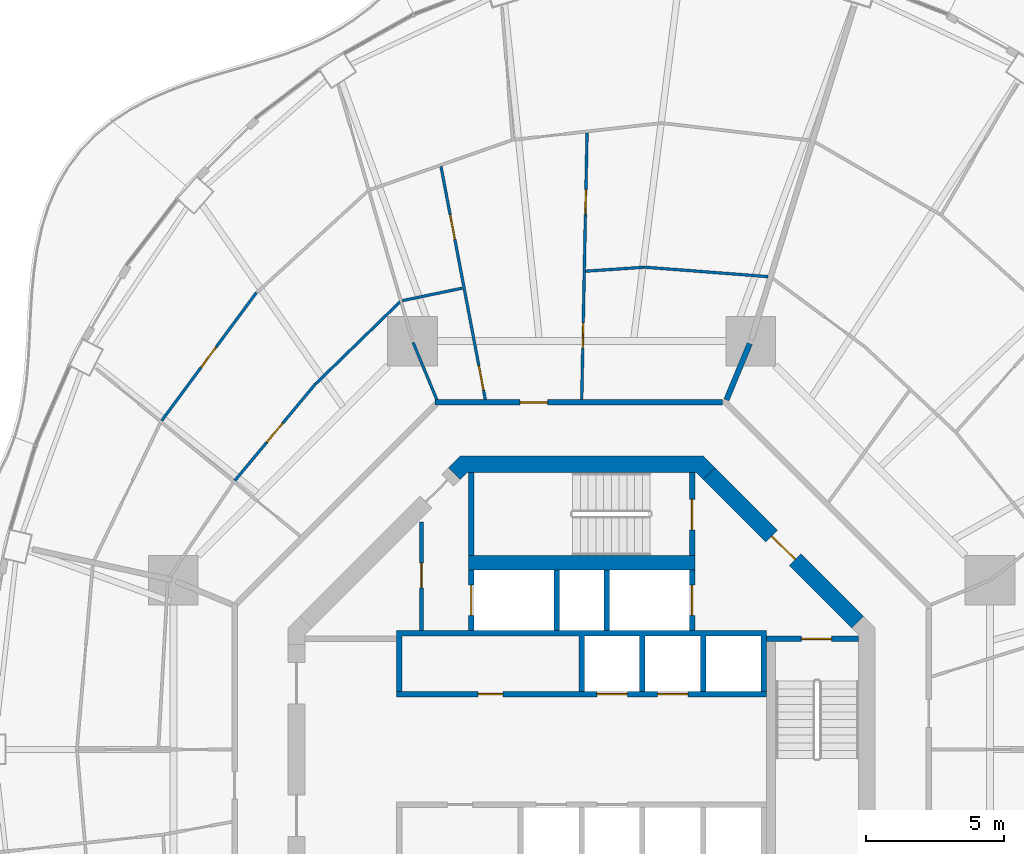
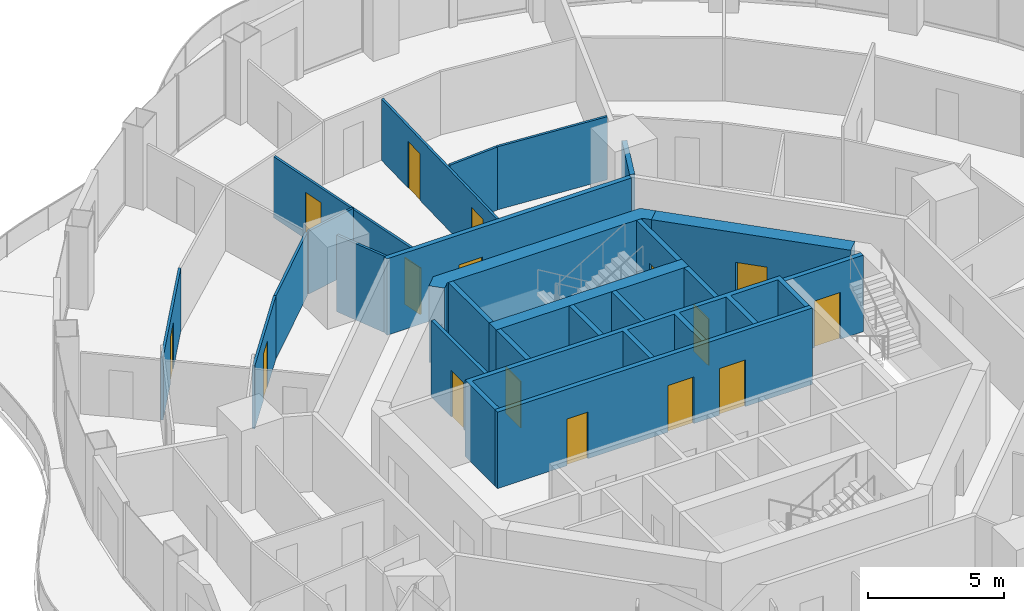
# One storey, part 14 of 19: 24 walls, 16 doors, 16 openings.
"""IFC4 building model written with IfcOpenShell, lengths in metres."""

from ifc_helpers import new_model, si_unit, direction, frame, frame_2d, origin, place, context, subcontext, project, spatial, polyline, rectangle, outline, extrude, material, layer, layer_set, type_object, element, fill, save


model = new_model("IFC4")

# Units and contexts
model_context = context("Model", 3, precision=1e-05, world=origin(), true_north=direction((0.0, 1.0)))
body_context = subcontext(model_context, "Body", "Model", "MODEL_VIEW")
ifc_project = project(units=[si_unit("LENGTHUNIT", "METRE"), si_unit("AREAUNIT", "SQUARE_METRE"), si_unit("VOLUMEUNIT", "CUBIC_METRE"), si_unit("PLANEANGLEUNIT", "RADIAN"), si_unit("MASSUNIT", "GRAM", prefix="KILO")], contexts=[model_context])

# Site, building, storey
site_placement = place(None, origin())
site = spatial("IfcSite", under=ifc_project, at=site_placement, CompositionType="ELEMENT")
building_placement = place(site_placement, origin())
building = spatial("IfcBuilding", under=site, at=building_placement, Name="Nagisa Residences", CompositionType="ELEMENT")
storey_placement = place(building_placement, frame((0.0, 0.0, 169.60009765625)))
storey = spatial("IfcBuildingStorey", under=building, at=storey_placement, Name="L42", CompositionType="ELEMENT", Elevation=169.60009765625)

# Wall
ifc_material_1 = material(Name="Gypsum board on steel studs", Category="steel")
ifc_layer_1 = layer(ifc_material_1, 0.199951171875)
ifc_layer_set_1 = layer_set([ifc_layer_1], Name="Apartment compartment wall EI60 200")
wall_type_1 = type_object("IfcWallType", Name="Apartment compartment wall EI60 200", PredefinedType="PARTITIONING", material=ifc_layer_set_1)
wall_1_placement = place(storey_placement, frame((5.24267578125, 12.6572265625, 0.0), z_axis=(0.0, 0.0, 1.0), x_axis=(0.382747093259, 0.923853160736, 0.0)))
element("IfcWall", 1, at=wall_1_placement, inside=storey, type_object=wall_type_1, Name="wall:L42:u00", PredefinedType="PARTITIONING", context=body_context, shape_type="SweptSolid", body=[
    extrude(rectangle(XDim=2.199951171875, YDim=0.199951171875, at=frame_2d((1.10009765625, 0.0))), origin(), (0.0, 0.0, 1.0), 3.43994140625),
])

# Wall, opening, door
ifc_material_2 = material(Name="Gypsum board on steel studs", Category="steel")
ifc_layer_2 = layer(ifc_material_2, 0.199951171875)
ifc_layer_set_2 = layer_set([ifc_layer_2], Name="Apartment entry wall EI60 200")
wall_type_2 = type_object("IfcWallType", Name="Apartment entry wall EI60 200", PredefinedType="PARTITIONING", material=ifc_layer_set_2)
wall_2_placement = place(storey_placement, frame((5.1044921875, 12.564697265625, 0.0), z_axis=(0.0, 0.0, 1.0), x_axis=(-1.0, 0.0, 0.0)))
wall_2 = element("IfcWall", 2, at=wall_2_placement, inside=storey, type_object=wall_type_2, Name="wall:L42:u10", PredefinedType="PARTITIONING", context=body_context, shape_type="SweptSolid", body=[
    extrude(rectangle(XDim=10.408935546875, YDim=0.199951171875, at=frame_2d((5.20458984375, 0.0))), origin(), (0.0, 0.0, 1.0), 3.43994140625),
])
opening_1_placement = place(wall_2_placement, frame((6.33935546875, 0.0, 0.0)))
opening_1 = element("IfcOpeningElement", 3, at=opening_1_placement, cuts=wall_2, Name="Opening L42-U15", PredefinedType="OPENING", context=body_context, shape_type="SweptSolid", body=[
    extrude(rectangle(XDim=1.0, YDim=2.10009765625, at=frame_2d((0.5, 1.050048828125))), frame((0.0, 0.10986328125, 0.0), z_axis=(0.0, -1.0, 0.0), x_axis=(1.0, 0.0, 0.0)), (0.0, 0.0, 1.0), 0.219970703125),
])
ifc_material_3 = material(Name="Timber fire door set", Category="wood")
door_type_1 = type_object("IfcDoorType", Name="Apartment entry door FD30S 1000x2100", OperationType="NOTDEFINED", PredefinedType="DOOR", material=ifc_material_3)
door_1_placement = place(opening_1_placement, frame((1.0, 0.0, 0.0), x_axis=(-1.0, 0.0, 0.0)))
door_1 = element("IfcDoor", 4, at=door_1_placement, inside=storey, type_object=door_type_1, Name="Entry door, Apartment 42B", OperationType="SINGLE_SWING_RIGHT", OverallHeight=2.10009765625, OverallWidth=1.0, PredefinedType="DOOR", context=body_context, shape_type="SweptSolid", body=[
    extrude(rectangle(XDim=1.0, YDim=2.10009765625, at=frame_2d((0.5, 1.050048828125))), frame((0.0, 0.02490234375, 0.0), z_axis=(0.0, -1.0, 0.0), x_axis=(1.0, 0.0, 0.0)), (0.0, 0.0, 1.0), 0.050048828125),
])
fill(opening_1, door_1)

# Walls
ifc_material_4 = material(Name="Gypsum board on steel studs", Category="steel")
ifc_layer_3 = layer(ifc_material_4, 0.10009765625)
ifc_layer_set_3 = layer_set([ifc_layer_3], Name="Apartment partition 100")
wall_type_3 = type_object("IfcWallType", Name="Apartment partition 100", PredefinedType="PARTITIONING", material=ifc_layer_set_3)
wall_3_placement = place(storey_placement, frame((6.7412109375, 17.1171875, 0.0), z_axis=(0.0, 0.0, 1.0), x_axis=(-0.997078320723, 0.076386008825, 0.0)))
element("IfcWall", 5, at=wall_3_placement, inside=storey, type_object=wall_type_3, Name="wall:L42:u35", PredefinedType="PARTITIONING", context=body_context, shape_type="SweptSolid", body=[
    extrude(rectangle(XDim=4.509765625, YDim=0.10009765625, at=frame_2d((2.2548828125, 0.0))), origin(), (0.0, 0.0, 1.0), 2.8369140625),
])
wall_4_placement = place(storey_placement, frame((2.244384765625, 17.45458984375, 0.0), z_axis=(0.0, 0.0, 1.0), x_axis=(-0.997756833447, -0.06694252243, 0.0)))
element("IfcWall", 6, at=wall_4_placement, inside=storey, type_object=wall_type_3, Name="wall:L42:u37", PredefinedType="PARTITIONING", context=body_context, shape_type="SweptSolid", body=[
    extrude(rectangle(XDim=2.104248046875, YDim=0.10009765625, at=frame_2d((1.05224609375, 0.0))), origin(), (0.0, 0.0, 1.0), 2.8369140625),
])

# Wall, openings, doors
wall_5_placement = place(storey_placement, frame((0.001953125, 12.664794921875, 0.0), z_axis=(0.0, 0.0, 1.0), x_axis=(0.019992969345, 0.999800120613, 0.0)))
wall_5 = element("IfcWall", 7, at=wall_5_placement, inside=storey, type_object=wall_type_3, Name="wall:L42:u39", PredefinedType="PARTITIONING", context=body_context, shape_type="SweptSolid", body=[
    extrude(rectangle(XDim=9.6591796875, YDim=0.10009765625, at=frame_2d((4.82958984375, 0.0))), origin(), (0.0, 0.0, 1.0), 2.755859375),
])
opening_2_placement = place(wall_5_placement, frame((1.873291015625, 0.0, 0.0)))
opening_2 = element("IfcOpeningElement", 8, at=opening_2_placement, cuts=wall_5, Name="Opening L42-U16", PredefinedType="OPENING", context=body_context, shape_type="SweptSolid", body=[
    extrude(rectangle(XDim=0.89990234375, YDim=2.10009765625, at=frame_2d((0.449951171875, 1.050048828125))), frame((0.0, 0.06005859375, 0.0), z_axis=(0.0, -1.0, 0.0), x_axis=(1.0, 0.0, 0.0)), (0.0, 0.0, 1.0), 0.1201171875),
])
opening_3_placement = place(wall_5_placement, frame((6.702880859375, 0.0, 0.0)))
opening_3 = element("IfcOpeningElement", 9, at=opening_3_placement, cuts=wall_5, Name="Opening L42-U18", PredefinedType="OPENING", context=body_context, shape_type="SweptSolid", body=[
    extrude(rectangle(XDim=0.89990234375, YDim=2.10009765625, at=frame_2d((0.449951171875, 1.050048828125))), frame((0.0, 0.06005859375, 0.0), z_axis=(0.0, -1.0, 0.0), x_axis=(1.0, 0.0, 0.0)), (0.0, 0.0, 1.0), 0.1201171875),
])
ifc_material_5 = material(Name="Timber door set", Category="wood")
door_type_2 = type_object("IfcDoorType", Name="Apartment door 900x2100", OperationType="NOTDEFINED", PredefinedType="DOOR", material=ifc_material_5)
door_2_placement = place(opening_2_placement, frame((0.89990234375, 0.0, 0.0), x_axis=(-1.0, 0.0, 0.0)))
door_2 = element("IfcDoor", 10, at=door_2_placement, inside=storey, type_object=door_type_2, Name="Door to store, Apartment 42B", OperationType="SINGLE_SWING_LEFT", OverallHeight=2.10009765625, OverallWidth=0.89990234375, PredefinedType="DOOR", context=body_context, shape_type="SweptSolid", body=[
    extrude(rectangle(XDim=0.89990234375, YDim=2.10009765625, at=frame_2d((0.449951171875, 1.050048828125))), frame((0.0, 0.02490234375, 0.0), z_axis=(0.0, -1.0, 0.0), x_axis=(1.0, 0.0, 0.0)), (0.0, 0.0, 1.0), 0.050048828125),
])
fill(opening_2, door_2)
door_3_placement = place(opening_3_placement, frame((0.89990234375, 0.0, 0.0), x_axis=(-1.0, 0.0, 0.0)))
door_3 = element("IfcDoor", 11, at=door_3_placement, inside=storey, type_object=door_type_2, Name="Door to study, Apartment 42B", OperationType="SINGLE_SWING_LEFT", OverallHeight=2.10009765625, OverallWidth=0.89990234375, PredefinedType="DOOR", context=body_context, shape_type="SweptSolid", body=[
    extrude(rectangle(XDim=0.89990234375, YDim=2.10009765625, at=frame_2d((0.449951171875, 1.050048828125))), frame((0.0, 0.02490234375, 0.0), z_axis=(0.0, -1.0, 0.0), x_axis=(1.0, 0.0, 0.0)), (0.0, 0.0, 1.0), 0.050048828125),
])
fill(opening_3, door_3)

wall_6_placement = place(storey_placement, frame((-3.48828125, 12.6630859375, 0.0), z_axis=(0.0, 0.0, 1.0), x_axis=(-0.186783185485, 0.982401161247, 0.0)))
wall_6 = element("IfcWall", 12, at=wall_6_placement, inside=storey, type_object=wall_type_3, Name="wall:L42:u42", PredefinedType="PARTITIONING", context=body_context, shape_type="SweptSolid", body=[
    extrude(rectangle(XDim=8.595458984375, YDim=0.10009765625, at=frame_2d((4.2978515625, 0.0))), origin(), (0.0, 0.0, 1.0), 2.755859375),
])
opening_4_placement = place(wall_6_placement, frame((0.35009765625, 0.0, 0.0)))
opening_4 = element("IfcOpeningElement", 13, at=opening_4_placement, cuts=wall_6, Name="Opening L42-U17", PredefinedType="OPENING", context=body_context, shape_type="SweptSolid", body=[
    extrude(rectangle(XDim=0.89990234375, YDim=2.10009765625, at=frame_2d((0.449951171875, 1.050048828125))), frame((0.0, 0.06005859375, 0.0), z_axis=(0.0, -1.0, 0.0), x_axis=(1.0, 0.0, 0.0)), (0.0, 0.0, 1.0), 0.1201171875),
])
opening_5_placement = place(wall_6_placement, frame((5.908447265625, 0.0, 0.0)))
opening_5 = element("IfcOpeningElement", 14, at=opening_5_placement, cuts=wall_6, Name="Opening L42-U19", PredefinedType="OPENING", context=body_context, shape_type="SweptSolid", body=[
    extrude(rectangle(XDim=0.89990234375, YDim=2.10009765625, at=frame_2d((0.449951171875, 1.050048828125))), frame((0.0, 0.06005859375, 0.0), z_axis=(0.0, -1.0, 0.0), x_axis=(1.0, 0.0, 0.0)), (0.0, 0.0, 1.0), 0.1201171875),
])
door_4_placement = place(opening_4_placement, origin())
door_4 = element("IfcDoor", 15, at=door_4_placement, inside=storey, type_object=door_type_2, Name="Door to family bathroom, Apartment 42B", OperationType="SINGLE_SWING_LEFT", OverallHeight=2.10009765625, OverallWidth=0.89990234375, PredefinedType="DOOR", context=body_context, shape_type="SweptSolid", body=[
    extrude(rectangle(XDim=0.89990234375, YDim=2.10009765625, at=frame_2d((0.449951171875, 1.050048828125))), frame((0.0, 0.02490234375, 0.0), z_axis=(0.0, -1.0, 0.0), x_axis=(1.0, 0.0, 0.0)), (0.0, 0.0, 1.0), 0.050048828125),
])
fill(opening_4, door_4)
door_5_placement = place(opening_5_placement, origin())
door_5 = element("IfcDoor", 16, at=door_5_placement, inside=storey, type_object=door_type_2, Name="Door to family bathroom, Apartment 42B", OperationType="SINGLE_SWING_LEFT", OverallHeight=2.10009765625, OverallWidth=0.89990234375, PredefinedType="DOOR", context=body_context, shape_type="SweptSolid", body=[
    extrude(rectangle(XDim=0.89990234375, YDim=2.10009765625, at=frame_2d((0.449951171875, 1.050048828125))), frame((0.0, 0.02490234375, 0.0), z_axis=(0.0, -1.0, 0.0), x_axis=(1.0, 0.0, 0.0)), (0.0, 0.0, 1.0), 0.050048828125),
])
fill(opening_5, door_5)

# Walls
wall_7_placement = place(storey_placement, frame((-4.324462890625, 16.69921875, 0.0), z_axis=(0.0, 0.0, 1.0), x_axis=(-0.978908011866, -0.204301503432, 0.0)))
element("IfcWall", 17, at=wall_7_placement, inside=storey, type_object=wall_type_3, Name="wall:L42:u43", PredefinedType="PARTITIONING", context=body_context, shape_type="SweptSolid", body=[
    extrude(rectangle(XDim=2.218017578125, YDim=0.10009765625, at=frame_2d((1.10888671875, 0.0))), origin(), (0.0, 0.0, 1.0), 2.8369140625),
])
wall_8_placement = place(storey_placement, frame((-5.24267578125, 12.6572265625, 0.0), z_axis=(0.0, 0.0, 1.0), x_axis=(-0.382719158442, 0.923864733477, 0.0)))
element("IfcWall", 18, at=wall_8_placement, inside=storey, type_object=wall_type_3, Name="wall:L42:u44", PredefinedType="PARTITIONING", context=body_context, shape_type="SweptSolid", body=[
    extrude(rectangle(XDim=2.25, YDim=0.10009765625, at=frame_2d((1.125, 0.0))), origin(), (0.0, 0.0, 1.0), 3.43994140625),
])
wall_9_placement = place(storey_placement, frame((-6.580322265625, 16.200927734375, 0.0), z_axis=(0.0, 0.0, 1.0), x_axis=(-0.716946269374, -0.697128429223, 0.0)))
element("IfcWall", 19, at=wall_9_placement, inside=storey, type_object=wall_type_3, Name="wall:L42:u46", PredefinedType="PARTITIONING", context=body_context, shape_type="SweptSolid", body=[
    extrude(rectangle(XDim=4.250244140625, YDim=0.10009765625, at=frame_2d((2.125, 0.0))), origin(), (0.0, 0.0, 1.0), 2.8369140625),
])

# Wall, opening, door
wall_10_placement = place(storey_placement, frame((-9.63134765625, 13.24169921875, 0.0), z_axis=(0.0, 0.0, 1.0), x_axis=(-0.640315711982, -0.768111833647, 0.0)))
wall_10 = element("IfcWall", 20, at=wall_10_placement, inside=storey, type_object=wall_type_3, Name="wall:L42:u48", PredefinedType="PARTITIONING", context=body_context, shape_type="SweptSolid", body=[
    extrude(rectangle(XDim=4.571533203125, YDim=0.10009765625, at=frame_2d((2.28564453125, 0.0))), origin(), (0.0, 0.0, 1.0), 2.8369140625),
])
opening_6_placement = place(wall_10_placement, frame((1.86083984375, 0.0, 0.0)))
opening_6 = element("IfcOpeningElement", 21, at=opening_6_placement, cuts=wall_10, Name="Opening L42-U26", PredefinedType="OPENING", context=body_context, shape_type="SweptSolid", body=[
    extrude(rectangle(XDim=0.89990234375, YDim=2.10009765625, at=frame_2d((0.449951171875, 1.050048828125))), frame((0.0, 0.06005859375, 0.0), z_axis=(0.0, -1.0, 0.0), x_axis=(1.0, 0.0, 0.0)), (0.0, 0.0, 1.0), 0.1201171875),
])
door_6_placement = place(opening_6_placement, origin())
door_6 = element("IfcDoor", 22, at=door_6_placement, inside=storey, type_object=door_type_2, Name="Door to store, Apartment 42B", OperationType="SINGLE_SWING_RIGHT", OverallHeight=2.10009765625, OverallWidth=0.89990234375, PredefinedType="DOOR", context=body_context, shape_type="SweptSolid", body=[
    extrude(rectangle(XDim=0.89990234375, YDim=2.10009765625, at=frame_2d((0.449951171875, 1.050048828125))), frame((0.0, 0.02490234375, 0.0), z_axis=(0.0, -1.0, 0.0), x_axis=(1.0, 0.0, 0.0)), (0.0, 0.0, 1.0), 0.050048828125),
])
fill(opening_6, door_6)

wall_11_placement = place(storey_placement, frame((-11.77294921875, 16.54150390625, 0.0), z_axis=(0.0, 0.0, 1.0), x_axis=(-0.594694305999, -0.803951915485, 0.0)))
wall_11 = element("IfcWall", 23, at=wall_11_placement, inside=storey, type_object=wall_type_3, Name="wall:L42:u49", PredefinedType="PARTITIONING", context=body_context, shape_type="SweptSolid", body=[
    extrude(rectangle(XDim=5.771728515625, YDim=0.10009765625, at=frame_2d((2.8857421875, 0.0))), origin(), (0.0, 0.0, 1.0), 2.8369140625),
])
opening_7_placement = place(wall_11_placement, frame((2.460693359375, 0.0, 0.0)))
opening_7 = element("IfcOpeningElement", 24, at=opening_7_placement, cuts=wall_11, Name="Opening L42-U24", PredefinedType="OPENING", context=body_context, shape_type="SweptSolid", body=[
    extrude(rectangle(XDim=0.89990234375, YDim=2.10009765625, at=frame_2d((0.449951171875, 1.050048828125))), frame((0.0, 0.06005859375, 0.0), z_axis=(0.0, -1.0, 0.0), x_axis=(1.0, 0.0, 0.0)), (0.0, 0.0, 1.0), 0.1201171875),
])
door_7_placement = place(opening_7_placement, origin())
door_7 = element("IfcDoor", 25, at=door_7_placement, inside=storey, type_object=door_type_2, Name="Door to kitchen, Apartment 42B", OperationType="SINGLE_SWING_RIGHT", OverallHeight=2.10009765625, OverallWidth=0.89990234375, PredefinedType="DOOR", context=body_context, shape_type="SweptSolid", body=[
    extrude(rectangle(XDim=0.89990234375, YDim=2.10009765625, at=frame_2d((0.449951171875, 1.050048828125))), frame((0.0, 0.02490234375, 0.0), z_axis=(0.0, -1.0, 0.0), x_axis=(1.0, 0.0, 0.0)), (0.0, 0.0, 1.0), 0.050048828125),
])
fill(opening_7, door_7)

ifc_material_6 = material(Name="Gypsum board on steel studs", Category="steel")
ifc_layer_4 = layer(ifc_material_6, 0.14990234375)
ifc_layer_set_4 = layer_set([ifc_layer_4], Name="Core partition 150")
wall_type_4 = type_object("IfcWallType", Name="Core partition 150", PredefinedType="PARTITIONING", material=ifc_layer_set_4)
wall_12_placement = place(storey_placement, frame((-5.800048828125, 4.300048828125, 0.0), z_axis=(0.0, 0.0, 1.0), x_axis=(0.0, 1.0, 0.0)))
wall_12 = element("IfcWall", 26, at=wall_12_placement, inside=storey, type_object=wall_type_4, Name="wall:L42:NWp", PredefinedType="PARTITIONING", context=body_context, shape_type="SweptSolid", body=[
    extrude(rectangle(XDim=3.927001953125, YDim=0.14990234375, at=frame_2d((1.96337890625, 0.0))), origin(), (0.0, 0.0, 1.0), 3.43994140625),
])
opening_8_placement = place(wall_12_placement, frame((1.551025390625, 0.0, 0.0)))
opening_8 = element("IfcOpeningElement", 27, at=opening_8_placement, cuts=wall_12, Name="Opening L42-C11", PredefinedType="OPENING", context=body_context, shape_type="SweptSolid", body=[
    extrude(rectangle(XDim=0.89990234375, YDim=2.10009765625, at=frame_2d((0.449951171875, 1.050048828125))), frame((0.0, 0.0849609375, 0.0), z_axis=(0.0, -1.0, 0.0), x_axis=(1.0, 0.0, 0.0)), (0.0, 0.0, 1.0), 0.169921875),
])
ifc_material_7 = material(Name="Steel fire door", Category="steel")
door_type_3 = type_object("IfcDoorType", Name="Fire door EI30 900x2100 single swing", OperationType="NOTDEFINED", PredefinedType="DOOR", material=ifc_material_7)
door_8_placement = place(opening_8_placement, origin())
door_8 = element("IfcDoor", 28, at=door_8_placement, inside=storey, type_object=door_type_3, Name="Package room door L42", OperationType="SINGLE_SWING_RIGHT", OverallHeight=2.10009765625, OverallWidth=0.89990234375, PredefinedType="DOOR", context=body_context, shape_type="SweptSolid", body=[
    extrude(rectangle(XDim=0.89990234375, YDim=2.10009765625, at=frame_2d((0.449951171875, 1.050048828125))), frame((0.0, 0.02490234375, 0.0), z_axis=(0.0, -1.0, 0.0), x_axis=(1.0, 0.0, 0.0)), (0.0, 0.0, 1.0), 0.050048828125),
])
fill(opening_8, door_8)

ifc_material_8 = material(Name="Concrete C60", Category="concrete")
ifc_layer_5 = layer(ifc_material_8, 0.60009765625)
ifc_layer_set_5 = layer_set([ifc_layer_5], Name="Core shear wall 600")
wall_type_5 = type_object("IfcWallType", Name="Core shear wall 600", PredefinedType="SHEAR", material=ifc_layer_set_5)
wall_13_placement = place(storey_placement, frame((9.98828125, 4.613037109375, 0.0), z_axis=(0.0, 0.0, 1.0), x_axis=(-0.707106781187, 0.707106781187, 0.0)))
wall_13 = element("IfcWall", 29, at=wall_13_placement, inside=storey, type_object=wall_type_5, Name="wall:L42:core:flat1", PredefinedType="SHEAR", context=body_context, shape_type="SweptSolid", body=[
    extrude(rectangle(XDim=7.601806640625, YDim=0.60009765625, at=frame_2d((3.80078125, 0.0))), origin(), (0.0, 0.0, 1.0), 3.43994140625),
])
opening_9_placement = place(wall_13_placement, frame((3.200927734375, 0.0, 0.0)))
opening_9 = element("IfcOpeningElement", 30, at=opening_9_placement, cuts=wall_13, Name="Opening L42-C17", PredefinedType="OPENING", context=body_context, shape_type="SweptSolid", body=[
    extrude(rectangle(XDim=1.199951171875, YDim=2.10009765625, at=frame_2d((0.60009765625, 1.050048828125))), frame((0.0, 0.31005859375, 0.0), z_axis=(0.0, -1.0, 0.0), x_axis=(1.0, 0.0, 0.0)), (0.0, 0.0, 1.0), 0.6201171875),
])
ifc_material_9 = material(Name="Steel fire door", Category="steel")
door_type_4 = type_object("IfcDoorType", Name="Fire door EI60 1200x2100 single swing", OperationType="NOTDEFINED", PredefinedType="DOOR", material=ifc_material_9)
door_9_placement = place(opening_9_placement, origin())
door_9 = element("IfcDoor", 31, at=door_9_placement, inside=storey, type_object=door_type_4, Name="Firefighting lobby 1 door L42", OperationType="SINGLE_SWING_RIGHT", OverallHeight=2.10009765625, OverallWidth=1.199951171875, PredefinedType="DOOR", context=body_context, shape_type="SweptSolid", body=[
    extrude(rectangle(XDim=1.199951171875, YDim=2.10009765625, at=frame_2d((0.60009765625, 1.050048828125))), frame((0.0, 0.02490234375, 0.0), z_axis=(0.0, -1.0, 0.0), x_axis=(1.0, 0.0, 0.0)), (0.0, 0.0, 1.0), 0.050048828125),
])
fill(opening_9, door_9)

# Wall
wall_14_placement = place(storey_placement, origin())
element("IfcWall", 32, at=wall_14_placement, inside=storey, type_object=wall_type_5, Name="wall:L42:core:flat2", PredefinedType="SHEAR", context=body_context, shape_type="SweptSolid", body=[
    extrude(outline(polyline([(-4.15234375, 10.024658203125), (-4.40087890625, 9.776123046875), (-4.8251953125, 10.200439453125), (-4.40087890625, 10.62451171875), (4.40087890625, 10.62451171875), (4.8251953125, 10.200439453125), (4.40087890625, 9.776123046875), (4.15234375, 10.024658203125), (-4.15234375, 10.024658203125)])), origin(), (0.0, 0.0, 1.0), 3.43994140625),
])

# Wall, opening, door
ifc_material_10 = material(Name="Concrete C60", Category="concrete")
ifc_layer_6 = layer(ifc_material_10, 0.199951171875)
ifc_layer_set_6 = layer_set([ifc_layer_6], Name="Lift shaft wall 200")
wall_type_6 = type_object("IfcWallType", Name="Lift shaft wall 200", PredefinedType="SOLIDWALL", material=ifc_layer_set_6)
wall_15_placement = place(storey_placement, frame((4.0, 4.300048828125, 0.0), z_axis=(0.0, 0.0, 1.0), x_axis=(0.0, 1.0, 0.0)))
wall_15 = element("IfcWall", 33, at=wall_15_placement, inside=storey, type_object=wall_type_6, Name="wall:L42:Nb3", PredefinedType="SOLIDWALL", context=body_context, shape_type="SweptSolid", body=[
    extrude(rectangle(XDim=2.199951171875, YDim=0.199951171875, at=frame_2d((1.10009765625, 0.0))), origin(), (0.0, 0.0, 1.0), 3.43994140625),
])
opening_10_placement = place(wall_15_placement, frame((0.550048828125, 0.0, 0.0)))
opening_10 = element("IfcOpeningElement", 34, at=opening_10_placement, cuts=wall_15, Name="Opening L42-C05", PredefinedType="OPENING", context=body_context, shape_type="SweptSolid", body=[
    extrude(rectangle(XDim=1.10009765625, YDim=2.10009765625, at=frame_2d((0.550048828125, 1.050048828125))), frame((0.0, 0.10986328125, 0.0), z_axis=(0.0, -1.0, 0.0), x_axis=(1.0, 0.0, 0.0)), (0.0, 0.0, 1.0), 0.219970703125),
])
ifc_material_11 = material(Name="Stainless steel", Category="steel")
door_type_5 = type_object("IfcDoorType", Name="Lift landing door 1100x2100", OperationType="DOUBLE_DOOR_SLIDING", PredefinedType="DOOR", material=ifc_material_11)
door_10_placement = place(opening_10_placement, origin())
door_10 = element("IfcDoor", 35, at=door_10_placement, inside=storey, type_object=door_type_5, Name="Landing door FL1 L42", OperationType="DOUBLE_DOOR_SLIDING", OverallHeight=2.10009765625, OverallWidth=1.10009765625, PredefinedType="DOOR", context=body_context, shape_type="SweptSolid", body=[
    extrude(rectangle(XDim=1.10009765625, YDim=2.10009765625, at=frame_2d((0.550048828125, 1.050048828125))), frame((0.0, 0.02490234375, 0.0), z_axis=(0.0, -1.0, 0.0), x_axis=(1.0, 0.0, 0.0)), (0.0, 0.0, 1.0), 0.050048828125),
])
fill(opening_10, door_10)

wall_16_placement = place(storey_placement, frame((-4.0, 4.300048828125, 0.0), z_axis=(0.0, 0.0, 1.0), x_axis=(0.0, 1.0, 0.0)))
wall_16 = element("IfcWall", 36, at=wall_16_placement, inside=storey, type_object=wall_type_6, Name="wall:L42:Nb4", PredefinedType="SOLIDWALL", context=body_context, shape_type="SweptSolid", body=[
    extrude(rectangle(XDim=2.199951171875, YDim=0.199951171875, at=frame_2d((1.10009765625, 0.0))), origin(), (0.0, 0.0, 1.0), 3.43994140625),
])
opening_11_placement = place(wall_16_placement, frame((0.550048828125, 0.0, 0.0)))
opening_11 = element("IfcOpeningElement", 37, at=opening_11_placement, cuts=wall_16, Name="Opening L42-C07", PredefinedType="OPENING", context=body_context, shape_type="SweptSolid", body=[
    extrude(rectangle(XDim=1.10009765625, YDim=2.10009765625, at=frame_2d((0.550048828125, 1.050048828125))), frame((0.0, 0.10986328125, 0.0), z_axis=(0.0, -1.0, 0.0), x_axis=(1.0, 0.0, 0.0)), (0.0, 0.0, 1.0), 0.219970703125),
])
door_11_placement = place(opening_11_placement, origin())
door_11 = element("IfcDoor", 38, at=door_11_placement, inside=storey, type_object=door_type_5, Name="Landing door SV L42", OperationType="DOUBLE_DOOR_SLIDING", OverallHeight=2.10009765625, OverallWidth=1.10009765625, PredefinedType="DOOR", context=body_context, shape_type="SweptSolid", body=[
    extrude(rectangle(XDim=1.10009765625, YDim=2.10009765625, at=frame_2d((0.550048828125, 1.050048828125))), frame((0.0, 0.02490234375, 0.0), z_axis=(0.0, -1.0, 0.0), x_axis=(1.0, 0.0, 0.0)), (0.0, 0.0, 1.0), 0.050048828125),
])
fill(opening_11, door_11)

# Wall, openings, doors
wall_17_placement = place(storey_placement, frame((-6.699951171875, 2.0, 0.0), z_axis=(0.0, 0.0, 1.0), x_axis=(1.0, 0.0, 0.0)))
wall_17 = element("IfcWall", 39, at=wall_17_placement, inside=storey, type_object=wall_type_6, Name="wall:L42:Nfront", PredefinedType="SOLIDWALL", context=body_context, shape_type="SweptSolid", body=[
    extrude(rectangle(XDim=13.39990234375, YDim=0.199951171875, at=frame_2d((6.699951171875, 0.0))), origin(), (0.0, 0.0, 1.0), 3.43994140625),
])
opening_12_placement = place(wall_17_placement, frame((7.25, 0.0, 0.0)))
opening_12 = element("IfcOpeningElement", 40, at=opening_12_placement, cuts=wall_17, Name="Opening L42-C01", PredefinedType="OPENING", context=body_context, shape_type="SweptSolid", body=[
    extrude(rectangle(XDim=1.10009765625, YDim=2.10009765625, at=frame_2d((0.550048828125, 1.050048828125))), frame((0.0, 0.10986328125, 0.0), z_axis=(0.0, -1.0, 0.0), x_axis=(1.0, 0.0, 0.0)), (0.0, 0.0, 1.0), 0.219970703125),
])
opening_13_placement = place(wall_17_placement, frame((9.449951171875, 0.0, 0.0)))
opening_13 = element("IfcOpeningElement", 41, at=opening_13_placement, cuts=wall_17, Name="Opening L42-C02", PredefinedType="OPENING", context=body_context, shape_type="SweptSolid", body=[
    extrude(rectangle(XDim=1.10009765625, YDim=2.10009765625, at=frame_2d((0.550048828125, 1.050048828125))), frame((0.0, 0.10986328125, 0.0), z_axis=(0.0, -1.0, 0.0), x_axis=(1.0, 0.0, 0.0)), (0.0, 0.0, 1.0), 0.219970703125),
])
opening_14_placement = place(wall_17_placement, frame((2.949951171875, 0.0, 0.0)))
opening_14 = element("IfcOpeningElement", 42, at=opening_14_placement, cuts=wall_17, Name="Opening L42-C15", PredefinedType="OPENING", context=body_context, shape_type="SweptSolid", body=[
    extrude(rectangle(XDim=0.89990234375, YDim=2.10009765625, at=frame_2d((0.449951171875, 1.050048828125))), frame((0.0, 0.10986328125, 0.0), z_axis=(0.0, -1.0, 0.0), x_axis=(1.0, 0.0, 0.0)), (0.0, 0.0, 1.0), 0.219970703125),
])
door_12_placement = place(opening_14_placement, origin())
door_12 = element("IfcDoor", 43, at=door_12_placement, inside=storey, type_object=door_type_3, Name="Housekeeping store door L42", OperationType="SINGLE_SWING_LEFT", OverallHeight=2.10009765625, OverallWidth=0.89990234375, PredefinedType="DOOR", context=body_context, shape_type="SweptSolid", body=[
    extrude(rectangle(XDim=0.89990234375, YDim=2.10009765625, at=frame_2d((0.449951171875, 1.050048828125))), frame((0.0, 0.02490234375, 0.0), z_axis=(0.0, -1.0, 0.0), x_axis=(1.0, 0.0, 0.0)), (0.0, 0.0, 1.0), 0.050048828125),
])
fill(opening_14, door_12)
door_13_placement = place(opening_12_placement, origin())
door_13 = element("IfcDoor", 44, at=door_13_placement, inside=storey, type_object=door_type_5, Name="Landing door B1 L42", OperationType="DOUBLE_DOOR_SLIDING", OverallHeight=2.10009765625, OverallWidth=1.10009765625, PredefinedType="DOOR", context=body_context, shape_type="SweptSolid", body=[
    extrude(rectangle(XDim=1.10009765625, YDim=2.10009765625, at=frame_2d((0.550048828125, 1.050048828125))), frame((0.0, 0.02490234375, 0.0), z_axis=(0.0, -1.0, 0.0), x_axis=(1.0, 0.0, 0.0)), (0.0, 0.0, 1.0), 0.050048828125),
])
fill(opening_12, door_13)
door_14_placement = place(opening_13_placement, origin())
door_14 = element("IfcDoor", 45, at=door_14_placement, inside=storey, type_object=door_type_5, Name="Landing door B2 L42", OperationType="DOUBLE_DOOR_SLIDING", OverallHeight=2.10009765625, OverallWidth=1.10009765625, PredefinedType="DOOR", context=body_context, shape_type="SweptSolid", body=[
    extrude(rectangle(XDim=1.10009765625, YDim=2.10009765625, at=frame_2d((0.550048828125, 1.050048828125))), frame((0.0, 0.02490234375, 0.0), z_axis=(0.0, -1.0, 0.0), x_axis=(1.0, 0.0, 0.0)), (0.0, 0.0, 1.0), 0.050048828125),
])
fill(opening_13, door_14)

# Walls
for number, where, z_axis, x_axis, name in (
    (46, (-0.89990234375, 4.300048828125, 0.0), (0.0, 0.0, 1.0), (0.0, 1.0, 0.0), "wall:L42:Nb1"),
    (47, (0.89990234375, 4.300048828125, 0.0), (0.0, 0.0, 1.0), (0.0, 1.0, 0.0), "wall:L42:Nb2"),
):
    element("IfcWall", number, at=place(storey_placement, frame(where, z_axis=z_axis, x_axis=x_axis)), inside=storey, type_object=wall_type_6, Name=name, PredefinedType="SOLIDWALL", context=body_context, shape_type="SweptSolid", body=[
        extrude(rectangle(XDim=2.199951171875, YDim=0.199951171875, at=frame_2d((1.10009765625, 0.0))), origin(), (0.0, 0.0, 1.0), 3.43994140625),
    ])
wall_18_placement = place(storey_placement, origin())
element("IfcWall", 48, at=wall_18_placement, inside=storey, type_object=wall_type_6, Name="wall:L42:Nback", PredefinedType="SOLIDWALL", context=body_context, shape_type="SweptSolid", body=[
    extrude(outline(polyline([(-6.699951171875, 4.300048828125), (6.699951171875, 4.300048828125), (6.699951171875, 2.10009765625), (6.5, 2.10009765625), (6.5, 4.10009765625), (4.5, 4.10009765625), (4.5, 2.10009765625), (4.300048828125, 2.10009765625), (4.300048828125, 4.10009765625), (2.300048828125, 4.10009765625), (2.300048828125, 2.10009765625), (2.10009765625, 2.10009765625), (2.10009765625, 4.10009765625), (0.10009765625, 4.10009765625), (0.10009765625, 2.10009765625), (-0.10009765625, 2.10009765625), (-0.10009765625, 4.10009765625), (-6.5, 4.10009765625), (-6.5, 2.10009765625), (-6.699951171875, 2.10009765625), (-6.699951171875, 4.300048828125)])), origin(), (0.0, 0.0, 1.0), 3.43994140625),
])

# Wall, opening, door
ifc_material_12 = material(Name="Concrete C60", Category="concrete")
ifc_layer_7 = layer(ifc_material_12, 0.199951171875)
ifc_layer_set_7 = layer_set([ifc_layer_7], Name="Stair enclosure wall 200")
wall_type_7 = type_object("IfcWallType", Name="Stair enclosure wall 200", PredefinedType="SOLIDWALL", material=ifc_layer_set_7)
wall_19_placement = place(storey_placement, frame((6.699951171875, 4.0, 0.0), z_axis=(0.0, 0.0, 1.0), x_axis=(1.0, 0.0, 0.0)))
wall_19 = element("IfcWall", 49, at=wall_19_placement, inside=storey, type_object=wall_type_7, Name="wall:L42:SE_n", PredefinedType="SOLIDWALL", context=body_context, shape_type="SweptSolid", body=[
    extrude(rectangle(XDim=3.32470703125, YDim=0.199951171875, at=frame_2d((1.662353515625, 0.0))), origin(), (0.0, 0.0, 1.0), 3.43994140625),
])
opening_15_placement = place(wall_19_placement, frame((1.25, 0.0, 0.0)))
opening_15 = element("IfcOpeningElement", 50, at=opening_15_placement, cuts=wall_19, Name="Opening L42-C08", PredefinedType="OPENING", context=body_context, shape_type="SweptSolid", body=[
    extrude(rectangle(XDim=1.10009765625, YDim=2.10009765625, at=frame_2d((0.550048828125, 1.050048828125))), frame((0.0, 0.10986328125, 0.0), z_axis=(0.0, -1.0, 0.0), x_axis=(1.0, 0.0, 0.0)), (0.0, 0.0, 1.0), 0.219970703125),
])
ifc_material_13 = material(Name="Steel fire door", Category="steel")
door_type_6 = type_object("IfcDoorType", Name="Fire door EI90 1100x2100 single swing", OperationType="NOTDEFINED", PredefinedType="DOOR", material=ifc_material_13)
door_15_placement = place(opening_15_placement, frame((1.10009765625, 0.0, 0.0), x_axis=(-1.0, 0.0, 0.0)))
door_15 = element("IfcDoor", 51, at=door_15_placement, inside=storey, type_object=door_type_6, Name="Stair door ST-E L42", OperationType="SINGLE_SWING_RIGHT", OverallHeight=2.10009765625, OverallWidth=1.10009765625, PredefinedType="DOOR", context=body_context, shape_type="SweptSolid", body=[
    extrude(rectangle(XDim=1.10009765625, YDim=2.10009765625, at=frame_2d((0.550048828125, 1.050048828125))), frame((0.0, 0.02490234375, 0.0), z_axis=(0.0, -1.0, 0.0), x_axis=(1.0, 0.0, 0.0)), (0.0, 0.0, 1.0), 0.050048828125),
])
fill(opening_15, door_15)

wall_20_placement = place(storey_placement, frame((4.0, 7.024658203125, 0.0), z_axis=(0.0, 0.0, 1.0), x_axis=(0.0, 1.0, 0.0)))
wall_20 = element("IfcWall", 52, at=wall_20_placement, inside=storey, type_object=wall_type_7, Name="wall:L42:SN_e", PredefinedType="SOLIDWALL", context=body_context, shape_type="SweptSolid", body=[
    extrude(rectangle(XDim=3.0, YDim=0.199951171875, at=frame_2d((1.5, 0.0))), origin(), (0.0, 0.0, 1.0), 3.43994140625),
])
opening_16_placement = place(wall_20_placement, frame((0.92529296875, 0.0, 0.0)))
opening_16 = element("IfcOpeningElement", 53, at=opening_16_placement, cuts=wall_20, Name="Opening L42-C09", PredefinedType="OPENING", context=body_context, shape_type="SweptSolid", body=[
    extrude(rectangle(XDim=1.10009765625, YDim=2.10009765625, at=frame_2d((0.550048828125, 1.050048828125))), frame((0.0, 0.10986328125, 0.0), z_axis=(0.0, -1.0, 0.0), x_axis=(1.0, 0.0, 0.0)), (0.0, 0.0, 1.0), 0.219970703125),
])
door_16_placement = place(opening_16_placement, origin())
door_16 = element("IfcDoor", 54, at=door_16_placement, inside=storey, type_object=door_type_6, Name="Stair door ST-N L42", OperationType="SINGLE_SWING_LEFT", OverallHeight=2.10009765625, OverallWidth=1.10009765625, PredefinedType="DOOR", context=body_context, shape_type="SweptSolid", body=[
    extrude(rectangle(XDim=1.10009765625, YDim=2.10009765625, at=frame_2d((0.550048828125, 1.050048828125))), frame((0.0, 0.02490234375, 0.0), z_axis=(0.0, -1.0, 0.0), x_axis=(1.0, 0.0, 0.0)), (0.0, 0.0, 1.0), 0.050048828125),
])
fill(opening_16, door_16)

# Walls
wall_21_placement = place(storey_placement, origin())
element("IfcWall", 55, at=wall_21_placement, inside=storey, type_object=wall_type_7, Name="wall:L42:SN_w", PredefinedType="SOLIDWALL", context=body_context, shape_type="SweptSolid", body=[
    extrude(outline(polyline([(-3.89990234375, 7.024658203125), (-4.10009765625, 7.024658203125), (-4.10009765625, 10.024658203125), (-3.89990234375, 10.024658203125), (-3.89990234375, 7.024658203125)])), origin(), (0.0, 0.0, 1.0), 3.43994140625),
])
wall_22_placement = place(storey_placement, origin())
element("IfcWall", 56, at=wall_22_placement, inside=storey, type_object=wall_type_7, Name="wall:L42:SN_s", PredefinedType="SOLIDWALL", context=body_context, shape_type="SweptSolid", body=[
    extrude(outline(polyline([(4.10009765625, 6.5), (-4.10009765625, 6.5), (-4.10009765625, 7.024658203125), (4.10009765625, 7.024658203125), (4.10009765625, 6.5)])), origin(), (0.0, 0.0, 1.0), 3.43994140625),
])

save(model, "model.ifc")
